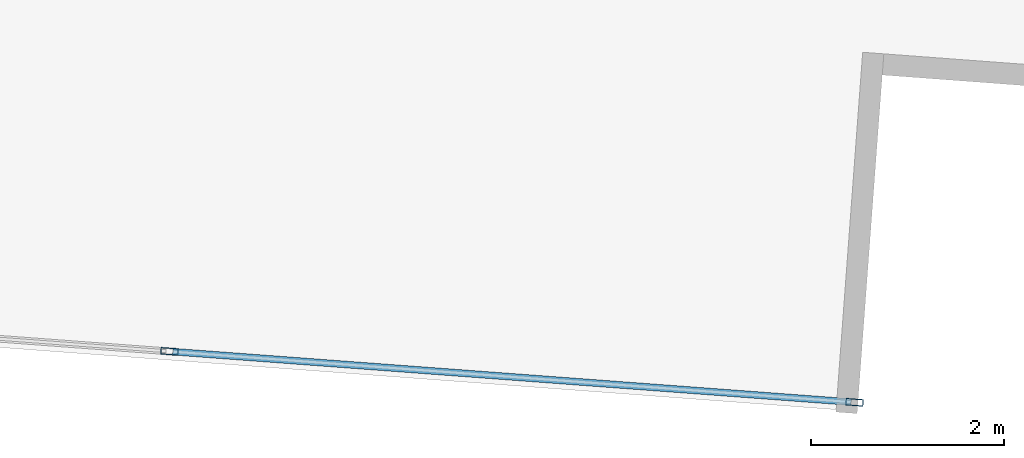
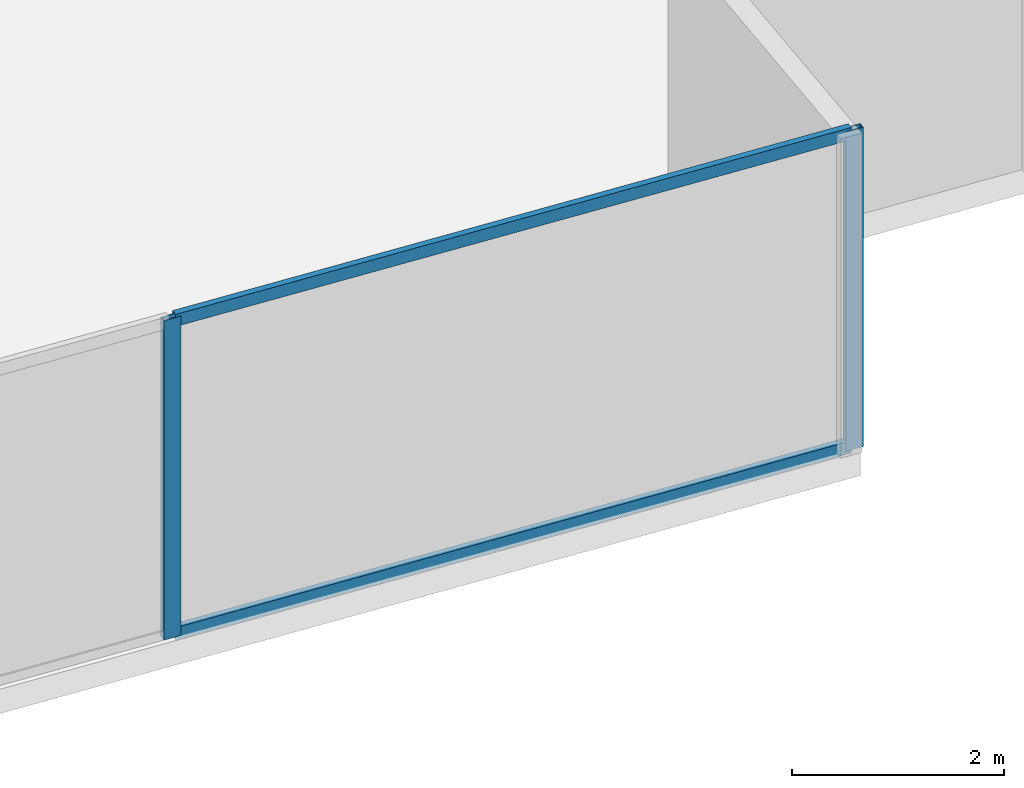
# One storey, part 12 of 30: 4 members, 1 element without a shape of its own.
"""IFC4 building model written with IfcOpenShell, lengths in metres."""

import ifcopenshell
import ifcopenshell.guid

model = None  # the IFC model being written
_history = None  # IfcOwnerHistory: only IFC2X3 demands one
_inside = {}  # id of a spatial element -> (the spatial element, [elements in it])
_under = {}  # id of a project, library or spatial element -> (it, [spatial elements below it])
_declared = {}  # id of a project -> (the project, [libraries it declares])
_typed = {}  # id of a type object -> (the type object, [elements of that type])
_made_of = {}  # id of a material, layer set ... -> (it, [elements and type objects made of it])


def new_model(schema):
    """Start an empty IFC model of exactly this schema.

    Asked for "IFC4X3", IfcOpenShell would pick the latest addendum, in which some entities
    have other attributes; the version numbers below select the first issue.
    IFC2X3 requires an IfcOwnerHistory on every rooted entity: one is made here for all.
    """
    global model, _history
    if schema == "IFC4X3":
        model = ifcopenshell.file(schema_version=(4, 3, 0, 0))
    else:
        model = ifcopenshell.file(schema=schema)
    _inside.clear()
    _under.clear()
    _declared.clear()
    _typed.clear()
    _made_of.clear()
    _history = None
    if model.schema == "IFC2X3":
        org = make("IfcOrganization", Name="unknown")
        user = make(
            "IfcPersonAndOrganization",
            ThePerson=make("IfcPerson", FamilyName="unknown"),
            TheOrganization=org,
        )
        app = make(
            "IfcApplication",
            ApplicationDeveloper=org,
            Version="unknown",
            ApplicationFullName="unknown",
            ApplicationIdentifier="unknown",
        )
        _history = make(
            "IfcOwnerHistory",
            OwningUser=user,
            OwningApplication=app,
            ChangeAction="ADDED",
            CreationDate=0,
        )
    return model


def make(cls, **values):
    """One entity of the class cls with the attributes given. An attribute that is None is left unset."""
    return model.create_entity(
        cls, **{name: value for name, value in values.items() if value is not None}
    )


def rooted(cls, **values):
    """An entity with a GlobalId (a new one), such as an element, a storey or a relation."""
    return make(cls, GlobalId=ifcopenshell.guid.new(), OwnerHistory=_history, **values)


def si_unit(unit_type, name, prefix=None):
    """IfcSIUnit, for example si_unit("LENGTHUNIT", "METRE", prefix="MILLI")."""
    return make("IfcSIUnit", UnitType=unit_type, Prefix=prefix, Name=name)


def assignment(units):
    """IfcUnitAssignment: the units of a project."""
    return None if units is None else make("IfcUnitAssignment", Units=units)


def point(xyz):
    """IfcCartesianPoint."""
    return None if xyz is None else make("IfcCartesianPoint", Coordinates=xyz)


def direction(xyz):
    """IfcDirection."""
    return None if xyz is None else make("IfcDirection", DirectionRatios=xyz)


def frame(location, z_axis=None, x_axis=None):
    """IfcAxis2Placement3D, a coordinate frame: its origin and axes. An axis left out is left unset."""
    return make(
        "IfcAxis2Placement3D",
        Location=point(location),
        Axis=direction(z_axis),
        RefDirection=direction(x_axis),
    )


def frame_2d(location, x_axis=None):
    """IfcAxis2Placement2D, a coordinate frame in the plane: its origin and x axis."""
    return make(
        "IfcAxis2Placement2D", Location=point(location), RefDirection=direction(x_axis)
    )


def origin():
    """The frame at (0, 0, 0) with its axes left unset."""
    return frame((0.0, 0.0, 0.0))


def origin_2d():
    """The frame at (0, 0) in the plane with its x axis left unset."""
    return frame_2d((0.0, 0.0))


def place(relative_to, where):
    """IfcLocalPlacement: puts the frame where relative to a parent placement (None: the world)."""
    return make(
        "IfcLocalPlacement", PlacementRelTo=relative_to, RelativePlacement=where
    )


def context(
    kind, dimensions, precision=None, world=None, true_north=None, identifier=None
):
    """IfcGeometricRepresentationContext, for example the 3D "Model" context."""
    return make(
        "IfcGeometricRepresentationContext",
        ContextIdentifier=identifier,
        ContextType=kind,
        CoordinateSpaceDimension=dimensions,
        Precision=precision,
        WorldCoordinateSystem=world,
        TrueNorth=true_north,
    )


def subcontext(parent, identifier, kind, view, scale=None):
    """IfcGeometricRepresentationSubContext, for example "Body" below "Model"."""
    return make(
        "IfcGeometricRepresentationSubContext",
        ContextIdentifier=identifier,
        ContextType=kind,
        ParentContext=parent,
        TargetScale=scale,
        TargetView=view,
    )


def project(units=None, contexts=None):
    """IfcProject with its units and contexts."""
    return rooted(
        "IfcProject",
        Name="project",
        RepresentationContexts=contexts,
        UnitsInContext=assignment(units),
    )


def spatial(cls, under=None, at=None, **own):
    """A site, building, storey or space (cls), placed at a placement, below another one or the project."""
    s = rooted(cls, ObjectPlacement=at, **own)
    if under is not None:
        _under.setdefault(under.id(), (under, []))[1].append(s)
    return s


def profile(cls, at=None, kind="AREA", **sizes):
    """A parametric profile (cls). Its sizes go by their IFC names, for example OverallWidth=200.0."""
    return make(cls, ProfileType=kind, Position=at, **sizes)


def hollow_rectangle(**sizes):
    """IfcRectangleHollowProfileDef."""
    return profile("IfcRectangleHollowProfileDef", **sizes)


def extrude(swept, where, along, depth):
    """IfcExtrudedAreaSolid: the profile swept, set in the frame where, extruded along a direction by depth."""
    return make(
        "IfcExtrudedAreaSolid",
        SweptArea=swept,
        Position=where,
        ExtrudedDirection=direction(along),
        Depth=depth,
    )


def shape(context_of_items, identifier, shape_type, items):
    """IfcShapeRepresentation: the items that make up one representation, for example the "Body"."""
    return make(
        "IfcShapeRepresentation",
        ContextOfItems=context_of_items,
        RepresentationIdentifier=identifier,
        RepresentationType=shape_type,
        Items=items,
    )


def source(mapping_origin, context_of_items, identifier, shape_type, items):
    """IfcRepresentationMap: a shape defined once, which mapped items show again and again."""
    return make(
        "IfcRepresentationMap",
        MappingOrigin=mapping_origin,
        MappedRepresentation=shape(context_of_items, identifier, shape_type, items),
    )


def transform(
    local_origin,
    x_axis=None,
    y_axis=None,
    z_axis=None,
    scale=None,
    scale2=None,
    scale3=None,
    uniform=True,
):
    """IfcCartesianTransformationOperator3D, or its non-uniform kind. x_axis, y_axis, z_axis: its Axis1, 2, 3."""
    if uniform:
        return make(
            "IfcCartesianTransformationOperator3D",
            Axis1=direction(x_axis),
            Axis2=direction(y_axis),
            LocalOrigin=point(local_origin),
            Scale=scale,
            Axis3=direction(z_axis),
        )
    return make(
        "IfcCartesianTransformationOperator3DnonUniform",
        Axis1=direction(x_axis),
        Axis2=direction(y_axis),
        LocalOrigin=point(local_origin),
        Scale=scale,
        Axis3=direction(z_axis),
        Scale2=scale2,
        Scale3=scale3,
    )


def mapped(mapping_source, mapping_target):
    """IfcMappedItem: shows the shape of a source again, moved by a transform."""
    return make(
        "IfcMappedItem", MappingSource=mapping_source, MappingTarget=mapping_target
    )


def material(Name=None, Category=None):
    """IfcMaterial."""
    return make("IfcMaterial", Name=Name, Category=Category)


def material_profile(
    of_material, cross_section, Name=None, Category=None, Priority=None
):
    """IfcMaterialProfile: a cross section and its material."""
    return make(
        "IfcMaterialProfile",
        Name=Name,
        Material=of_material,
        Profile=cross_section,
        Priority=Priority,
        Category=Category,
    )


def profile_set(profiles, Name=None, composite=None):
    """IfcMaterialProfileSet."""
    return make(
        "IfcMaterialProfileSet",
        Name=Name,
        MaterialProfiles=profiles,
        CompositeProfile=composite,
    )


def made_of(thing, what):
    """Note that an element or type object is made of a material, layer set ...; save() writes the relation."""
    if what is not None:
        _made_of.setdefault(what.id(), (what, []))[1].append(thing)
    return thing


def type_object(cls, material=None, **own):
    """A type object (cls), such as IfcWallType, which elements share."""
    return made_of(rooted(cls, **own), material)


def type_shapes(of_type, sources):
    """Give a type object the sources (RepresentationMaps) that its elements show as mapped items."""
    of_type.RepresentationMaps = sources


def element(
    cls,
    number,
    at=None,
    inside=None,
    cuts=None,
    type_object=None,
    material=None,
    context=None,
    identifier="Body",
    shape_type=None,
    held_by="IfcProductDefinitionShape",
    body=None,
    shapes=None,
    **own,
):
    """One element of the class cls, such as IfcWall. Its Tag is "e" and its number.

    at: its placement. inside: the storey or other place that contains it. cuts: it is an
    opening in that element (IfcRelVoidsElement). A single representation is given by context,
    identifier, shape_type and body (its items); several are given by shapes. held_by: the class
    of the entity that holds the representations. save() writes the other relations.
    """
    e = rooted(cls, Tag="e%d" % number, ObjectPlacement=at, **own)
    if body is not None:
        shapes = [shape(context, identifier, shape_type, body)]
    if shapes is not None:
        e.Representation = make(held_by, Representations=shapes)
    if inside is not None:
        _inside.setdefault(inside.id(), (inside, []))[1].append(e)
    if cuts is not None:
        rooted(
            "IfcRelVoidsElement", RelatingBuildingElement=cuts, RelatedOpeningElement=e
        )
    if type_object is not None:
        _typed.setdefault(type_object.id(), (type_object, []))[1].append(e)
    return made_of(e, material)


def aggregate(whole, parts):
    """IfcRelAggregates: a whole, such as a stair, and the parts it consists of."""
    return rooted("IfcRelAggregates", RelatingObject=whole, RelatedObjects=parts)


def save(model, path):
    """Write the relations noted so far, then the file.

    IfcRelAggregates (storeys below a building ...), IfcRelContainedInSpatialStructure (elements
    in a storey), IfcRelDefinesByType, IfcRelAssociatesMaterial and IfcRelDeclares: one each for
    every whole, place, type object, material and project.
    """
    for whole, parts in _under.values():
        aggregate(whole, parts)
    for where, things in _inside.values():
        rooted(
            "IfcRelContainedInSpatialStructure",
            RelatedElements=things,
            RelatingStructure=where,
        )
    for kind, things in _typed.values():
        rooted("IfcRelDefinesByType", RelatedObjects=things, RelatingType=kind)
    for what, things in _made_of.values():
        rooted("IfcRelAssociatesMaterial", RelatedObjects=things, RelatingMaterial=what)
    for by, libraries in _declared.values():
        rooted("IfcRelDeclares", RelatingContext=by, RelatedDefinitions=libraries)
    model.write(path)


model = new_model("IFC4")

# Units and contexts
model_context = context("Model", 3, precision=1e-05, world=origin(), true_north=direction((0.0, 1.0)))
body_context = subcontext(model_context, "Body", "Model", "MODEL_VIEW")
ifc_project = project(units=[si_unit("LENGTHUNIT", "METRE"), si_unit("AREAUNIT", "SQUARE_METRE"), si_unit("VOLUMEUNIT", "CUBIC_METRE"), si_unit("PLANEANGLEUNIT", "RADIAN"), si_unit("MASSUNIT", "GRAM", prefix="KILO")], contexts=[model_context])

# Site, building, storey
site_placement = place(None, origin())
site = spatial("IfcSite", under=ifc_project, at=site_placement, CompositionType="ELEMENT")
building_placement = place(site_placement, origin())
building = spatial("IfcBuilding", under=site, at=building_placement, Name="Krantzveldt Concourse Tower", CompositionType="ELEMENT")
storey_placement = place(building_placement, frame((0.0, 0.0, 48.699951171875)))
storey = spatial("IfcBuildingStorey", under=building, at=storey_placement, Name="L11", CompositionType="ELEMENT", Elevation=48.699951171875)

# Curtain wall, members
ifc_material = material(Name="Anodised aluminium 6063-T6", Category="aluminium")
curtain_wall_type = type_object("IfcCurtainWallType", Name="CW2", PredefinedType="USERDEFINED", material=ifc_material)
curtain_wall_placement = place(storey_placement, origin())
curtain_wall = element("IfcCurtainWall", 1, at=curtain_wall_placement, inside=storey, type_object=curtain_wall_type, Name="CW-L11-F04", ObjectType="UNITISED CURTAIN WALL", PredefinedType="USERDEFINED")
ifc_material_profile_1 = material_profile(ifc_material, hollow_rectangle(XDim=0.070068359375, YDim=0.179931640625, WallThickness=0.0048828125, at=origin_2d()), Name="Anodised aluminium 6063-T6", Category="aluminium")
ifc_profile_set_1 = profile_set([ifc_material_profile_1], Name="Anodised aluminium 6063-T6 - ALU-MULL 180x70x5")
member_type_1 = type_object("IfcMemberType", Name="CW-MUL-180", PredefinedType="MULLION", material=ifc_profile_set_1)
shared_shape_1 = source(origin(), body_context, "Body", "SweptSolid", [
    extrude(hollow_rectangle(XDim=0.070068359375, YDim=0.179931640625, WallThickness=0.0048828125, at=origin_2d()), origin(), (0.0, 0.0, 1.0), 3.670166015625),
])
type_shapes(member_type_1, [shared_shape_1])
member_1_placement = place(storey_placement, frame((48.447998046875, 0.79638671875, 0.0), z_axis=(0.0, 0.0, 1.0), x_axis=(0.07410860051, 0.997250176902, 0.0)))
member_1 = element("IfcMember", 2, at=member_1_placement, type_object=member_type_1, Name="CW-Z12 mullion 6", PredefinedType="MULLION", context=body_context, shape_type="MappedRepresentation", body=[
    mapped(shared_shape_1, transform((0.0, 0.0, 0.0), x_axis=(1.0, 0.0, 0.0), y_axis=(0.0, 1.0, 0.0), z_axis=(0.0, 0.0, 1.0), scale=1.0)),
])
member_2_placement = place(storey_placement, frame((55.559814453125, 0.267822265625, 0.0), z_axis=(0.0, 0.0, 1.0), x_axis=(0.07410860051, 0.997250176902, 0.0)))
member_2 = element("IfcMember", 3, at=member_2_placement, type_object=member_type_1, Name="CW-Z12 mullion 7", PredefinedType="MULLION", context=body_context, shape_type="MappedRepresentation", body=[
    mapped(shared_shape_1, transform((0.0, 0.0, 0.0), x_axis=(1.0, 0.0, 0.0), y_axis=(0.0, 1.0, 0.0), z_axis=(0.0, 0.0, 1.0), scale=1.0)),
])
ifc_material_profile_2 = material_profile(ifc_material, hollow_rectangle(XDim=0.070068359375, YDim=0.139892578125, WallThickness=0.0048828125, at=origin_2d()), Name="Anodised aluminium 6063-T6", Category="aluminium")
ifc_profile_set_2 = profile_set([ifc_material_profile_2], Name="Anodised aluminium 6063-T6 - ALU-TRAN 140x70x5")
member_type_2 = type_object("IfcMemberType", Name="CW-TRN-150", PredefinedType="USERDEFINED", material=ifc_profile_set_2)
shared_shape_2 = source(origin(), body_context, "Body", "SweptSolid", [
    extrude(hollow_rectangle(XDim=0.070068359375, YDim=0.139892578125, WallThickness=0.0048828125, at=origin_2d()), origin(), (0.0, 0.0, 1.0), 7.06201171875),
])
type_shapes(member_type_2, [shared_shape_2])
member_3_placement = place(storey_placement, frame((48.482666015625, 0.793701171875, 0.03515625), z_axis=(0.997249234786, -0.074121277105, 0.0), x_axis=(0.074121277105, 0.997249234786, 0.0)))
member_3 = element("IfcMember", 4, at=member_3_placement, type_object=member_type_2, Name="CW-Z12 transom 6.1", ObjectType="TRANSOM", PredefinedType="USERDEFINED", context=body_context, shape_type="MappedRepresentation", body=[
    mapped(shared_shape_2, transform((0.0, 0.0, 0.0), x_axis=(1.0, 0.0, 0.0), y_axis=(0.0, 1.0, 0.0), z_axis=(0.0, 0.0, 1.0), scale=1.0)),
])
member_4_placement = place(storey_placement, frame((48.482666015625, 0.793701171875, 3.635009765625), z_axis=(0.997249234786, -0.074121277105, 0.0), x_axis=(0.074121277105, 0.997249234786, 0.0)))
member_4 = element("IfcMember", 5, at=member_4_placement, type_object=member_type_2, Name="CW-Z12 transom 6.2", ObjectType="TRANSOM", PredefinedType="USERDEFINED", context=body_context, shape_type="MappedRepresentation", body=[
    mapped(shared_shape_2, transform((0.0, 0.0, 0.0), x_axis=(1.0, 0.0, 0.0), y_axis=(0.0, 1.0, 0.0), z_axis=(0.0, 0.0, 1.0), scale=1.0)),
])
aggregate(curtain_wall, [member_1, member_2, member_3, member_4])

save(model, "model.ifc")
